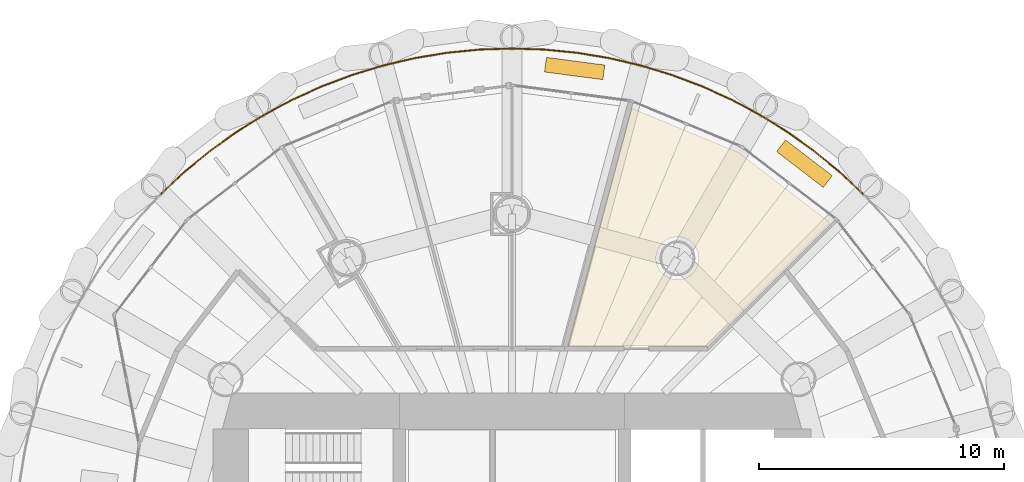
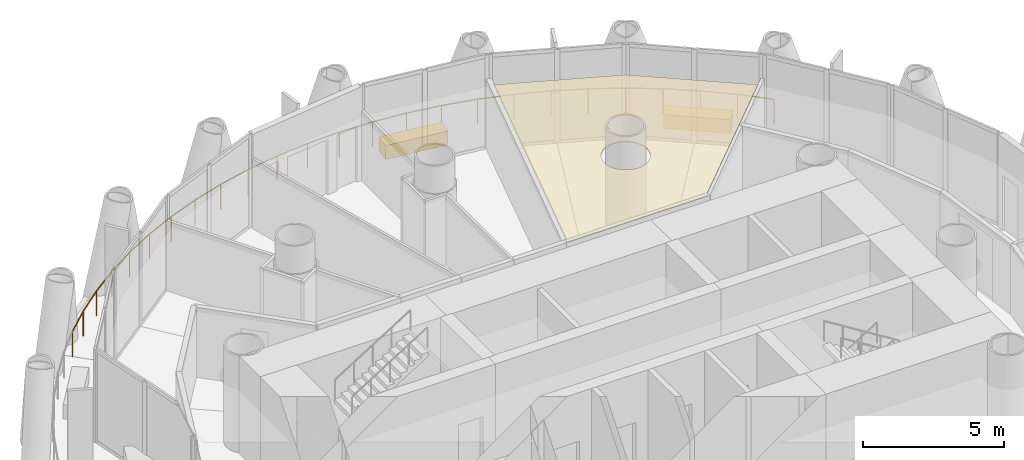
# One storey, part 15 of 15: 3 coverings, 1 railing.
"""IFC4 building model written with IfcOpenShell, lengths in metres."""

from ifc_helpers import new_model, si_unit, direction, frame, origin, origin_2d, place, context, subcontext, project, spatial, polyline, rectangle, circle, outline, extrude, material, layer, layer_set, type_object, element, save


model = new_model("IFC4")

# Units and contexts
model_context = context("Model", 3, precision=1e-05, world=origin(), true_north=direction((0.0, 1.0)))
body_context = subcontext(model_context, "Body", "Model", "MODEL_VIEW")
ifc_project = project(units=[si_unit("LENGTHUNIT", "METRE"), si_unit("AREAUNIT", "SQUARE_METRE"), si_unit("VOLUMEUNIT", "CUBIC_METRE"), si_unit("PLANEANGLEUNIT", "RADIAN"), si_unit("MASSUNIT", "GRAM", prefix="KILO")], contexts=[model_context])

# Site, building, storey
site_placement = place(None, origin())
site = spatial("IfcSite", under=ifc_project, at=site_placement, CompositionType="ELEMENT")
building_placement = place(site_placement, origin())
building = spatial("IfcBuilding", under=site, at=building_placement, Name="Qaws Media Tower", CompositionType="ELEMENT")
storey_placement = place(building_placement, frame((0.0, 0.0, 273.800048828125)))
storey = spatial("IfcBuildingStorey", under=building, at=storey_placement, Name="L63", CompositionType="ELEMENT", Elevation=273.800048828125)

# Covering
ifc_material_1 = material(Name="40 perforated acoustic panels with mineral wool backing, suspended", Category="mineral fibre")
ifc_layer_1 = layer(ifc_material_1, 0.0400390625)
ifc_layer_set_1 = layer_set([ifc_layer_1], Name="Acoustic panel ceiling 40")
covering_type_1 = type_object("IfcCoveringType", Name="Acoustic panel ceiling 40", PredefinedType="CEILING", material=ifc_layer_set_1)
covering_placement = place(storey_placement, frame((0.0, 0.0, 2.849853515625)))
element("IfcCovering", 1, at=covering_placement, inside=storey, type_object=covering_type_1, Name="CL3 ceiling L63-03 Board meeting room", PredefinedType="CEILING", context=body_context, shape_type="SweptSolid", body=[
    extrude(outline(polyline([(69.24267578125, 66.0087890625), (72.98095703125, 63.14013671875), (67.953369140625, 58.112548828125), (62.290283203125, 58.112548828125), (64.88916015625, 67.81201171875), (69.24267578125, 66.0087890625)]), holes=[polyline([(67.5546875, 61.35791015625), (67.59130859375, 61.4658203125), (67.613525390625, 61.57763671875), (67.62109375, 61.69140625), (67.613525390625, 61.804931640625), (67.59130859375, 61.916748046875), (67.5546875, 62.024658203125), (67.50439453125, 62.126708984375), (67.44091796875, 62.2216796875), (67.365966796875, 62.30712890625), (67.2802734375, 62.38232421875), (67.185546875, 62.44580078125), (67.083251953125, 62.49609375), (66.975341796875, 62.53271484375), (66.86376953125, 62.554931640625), (66.75, 62.562255859375), (66.63623046875, 62.554931640625), (66.524658203125, 62.53271484375), (66.416748046875, 62.49609375), (66.314453125, 62.44580078125), (66.2197265625, 62.38232421875), (66.134033203125, 62.30712890625), (66.05908203125, 62.2216796875), (65.99560546875, 62.126708984375), (65.9453125, 62.024658203125), (65.90869140625, 61.916748046875), (65.886474609375, 61.804931640625), (65.87890625, 61.69140625), (65.886474609375, 61.57763671875), (65.90869140625, 61.4658203125), (65.9453125, 61.35791015625), (65.99560546875, 61.255859375), (66.05908203125, 61.1611328125), (66.134033203125, 61.075439453125), (66.2197265625, 61.000244140625), (66.314453125, 60.93701171875), (66.416748046875, 60.88671875), (66.524658203125, 60.85009765625), (66.63623046875, 60.827880859375), (66.75, 60.8203125), (66.86376953125, 60.827880859375), (66.975341796875, 60.85009765625), (67.083251953125, 60.88671875), (67.185546875, 60.93701171875), (67.2802734375, 61.000244140625), (67.365966796875, 61.075439453125), (67.44091796875, 61.1611328125), (67.50439453125, 61.255859375), (67.5546875, 61.35791015625)])]), origin(), (0.0, 0.0, 1.0), 0.0400390625),
])

# Railing
ifc_material_2 = material(Name="Stainless steel and glass guard", Category="steel")
railing_type = type_object("IfcRailingType", Name="Balcony guard 1100", PredefinedType="GUARDRAIL", material=ifc_material_2)
railing_placement = place(storey_placement, frame((74.31884765625, 64.31884765625, 0.0)))
element("IfcRailing", 2, at=railing_placement, inside=storey, type_object=railing_type, Name="GR1 balcony guard L63-1", PredefinedType="GUARDRAIL", context=body_context, shape_type="SweptSolid", body=[
    extrude(circle(Radius=0.02392578125, at=origin_2d()), frame((0.0, 0.0, 1.076171875), z_axis=(-0.729761236548, 0.683702082512, 0.0), x_axis=(-0.683702082512, -0.729761236548, 0.0)), (0.0, 0.0, 1.0), 1.3251953125),
    extrude(circle(Radius=0.02392578125, at=origin_2d()), frame((-0.967041015625, 0.906005859375, 1.076171875), z_axis=(-0.773061787624, 0.634330728024, 0.0), x_axis=(-0.634330728024, -0.773061787624, 0.0)), (0.0, 0.0, 1.0), 1.3251953125),
    extrude(circle(Radius=0.02392578125, at=origin_2d()), frame((-1.991455078125, 1.74658203125, 1.076171875), z_axis=(-0.812898541399, 0.582405323972, 0.0), x_axis=(-0.582405323972, -0.812898541399, 0.0)), (0.0, 0.0, 1.0), 1.324951171875),
    extrude(circle(Radius=0.02392578125, at=origin_2d()), frame((-3.068603515625, 2.518310546875, 1.076171875), z_axis=(-0.849124544129, 0.52819268128, 0.0), x_axis=(-0.52819268128, -0.849124544129, 0.0)), (0.0, 0.0, 1.0), 1.3251953125),
    extrude(circle(Radius=0.02392578125, at=origin_2d()), frame((-4.19384765625, 3.21826171875, 1.076171875), z_axis=(-0.881975244429, 0.471295733288, 0.0), x_axis=(-0.471295733288, -0.881975244429, 0.0)), (0.0, 0.0, 1.0), 1.3251953125),
    extrude(circle(Radius=0.02392578125, at=origin_2d()), frame((-5.362548828125, 3.8427734375, 1.076171875), z_axis=(-0.910870560654, 0.412692163403, 0.0), x_axis=(-0.412692163403, -0.910870560654, 0.0)), (0.0, 0.0, 1.0), 1.3251953125),
    extrude(circle(Radius=0.02392578125, at=origin_2d()), frame((-6.569580078125, 4.3896484375, 1.076171875), z_axis=(-0.935904506269, 0.352253822045, 0.0), x_axis=(-0.352253822045, -0.935904506269, 0.0)), (0.0, 0.0, 1.0), 1.3251953125),
    extrude(circle(Radius=0.02392578125, at=origin_2d()), frame((-7.809814453125, 4.8564453125, 1.076171875), z_axis=(-0.956918975321, 0.290355083771, 0.0), x_axis=(-0.290355083771, -0.956918975321, 0.0)), (0.0, 0.0, 1.0), 1.3251953125),
    extrude(circle(Radius=0.02392578125, at=origin_2d()), frame((-9.077880859375, 5.2412109375, 1.076171875), z_axis=(-0.973888761804, 0.227025724606, 0.0), x_axis=(-0.227025724606, -0.973888761804, 0.0)), (0.0, 0.0, 1.0), 1.324951171875),
    extrude(circle(Radius=0.02392578125, at=origin_2d()), frame((-10.3681640625, 5.5419921875, 1.076171875), z_axis=(-0.986651596425, 0.162845409119, 0.0), x_axis=(-0.162845409119, -0.986651596425, 0.0)), (0.0, 0.0, 1.0), 1.3251953125),
    extrude(circle(Radius=0.02392578125, at=origin_2d()), frame((-11.67578125, 5.7578125, 1.076171875), z_axis=(-0.995183865151, 0.098025887106, 0.0), x_axis=(-0.098025887106, -0.995183865151, 0.0)), (0.0, 0.0, 1.0), 1.324951171875),
    extrude(circle(Radius=0.02392578125, at=origin_2d()), frame((-12.994384765625, 5.8876953125, 1.076171875), z_axis=(-0.999462151407, 0.032793412525, 0.0), x_axis=(-0.032793412525, -0.999462151407, 0.0)), (0.0, 0.0, 1.0), 1.3251953125),
    extrude(circle(Radius=0.02392578125, at=origin_2d()), frame((-14.31884765625, 5.93115234375, 1.076171875), z_axis=(-0.999462151407, -0.032793412525, 0.0), x_axis=(0.032793412525, -0.999462151407, 0.0)), (0.0, 0.0, 1.0), 1.3251953125),
    extrude(circle(Radius=0.02392578125, at=origin_2d()), frame((-15.643310546875, 5.8876953125, 1.076171875), z_axis=(-0.995183865151, -0.098025887106, 0.0), x_axis=(0.098025887106, -0.995183865151, 0.0)), (0.0, 0.0, 1.0), 1.324951171875),
    extrude(circle(Radius=0.02392578125, at=origin_2d()), frame((-16.9619140625, 5.7578125, 1.076171875), z_axis=(-0.986651596425, -0.162845409119, 0.0), x_axis=(0.162845409119, -0.986651596425, 0.0)), (0.0, 0.0, 1.0), 1.3251953125),
    extrude(circle(Radius=0.02392578125, at=origin_2d()), frame((-18.26953125, 5.5419921875, 1.076171875), z_axis=(-0.973888761804, -0.227025724606, 0.0), x_axis=(0.227025724606, -0.973888761804, 0.0)), (0.0, 0.0, 1.0), 1.324951171875),
    extrude(circle(Radius=0.02392578125, at=origin_2d()), frame((-19.559814453125, 5.2412109375, 1.076171875), z_axis=(-0.956918975321, -0.290355083771, 0.0), x_axis=(0.290355083771, -0.956918975321, 0.0)), (0.0, 0.0, 1.0), 1.3251953125),
    extrude(circle(Radius=0.02392578125, at=origin_2d()), frame((-20.827880859375, 4.8564453125, 1.076171875), z_axis=(-0.935904506269, -0.352253822045, 0.0), x_axis=(0.352253822045, -0.935904506269, 0.0)), (0.0, 0.0, 1.0), 1.3251953125),
    extrude(circle(Radius=0.02392578125, at=origin_2d()), frame((-22.068115234375, 4.3896484375, 1.076171875), z_axis=(-0.910870560654, -0.412692163403, 0.0), x_axis=(0.412692163403, -0.910870560654, 0.0)), (0.0, 0.0, 1.0), 1.3251953125),
    extrude(circle(Radius=0.02392578125, at=origin_2d()), frame((-23.275146484375, 3.8427734375, 1.076171875), z_axis=(-0.881975244429, -0.471295733288, 0.0), x_axis=(0.471295733288, -0.881975244429, 0.0)), (0.0, 0.0, 1.0), 1.3251953125),
    extrude(circle(Radius=0.02392578125, at=origin_2d()), frame((-24.44384765625, 3.21826171875, 1.076171875), z_axis=(-0.849124544129, -0.52819268128, 0.0), x_axis=(0.52819268128, -0.849124544129, 0.0)), (0.0, 0.0, 1.0), 1.3251953125),
    extrude(circle(Radius=0.02392578125, at=origin_2d()), frame((-25.569091796875, 2.518310546875, 1.076171875), z_axis=(-0.812898541399, -0.582405323972, 0.0), x_axis=(0.582405323972, -0.812898541399, 0.0)), (0.0, 0.0, 1.0), 1.324951171875),
    extrude(circle(Radius=0.02392578125, at=origin_2d()), frame((-26.646240234375, 1.74658203125, 1.076171875), z_axis=(-0.773061787624, -0.634330728024, 0.0), x_axis=(0.634330728024, -0.773061787624, 0.0)), (0.0, 0.0, 1.0), 1.3251953125),
    extrude(circle(Radius=0.02392578125, at=origin_2d()), frame((-27.670654296875, 0.906005859375, 1.076171875), z_axis=(-0.729761236548, -0.683702082512, 0.0), x_axis=(0.683702082512, -0.729761236548, 0.0)), (0.0, 0.0, 1.0), 1.3251953125),
    extrude(circle(Radius=0.02099609375, at=origin_2d()), origin(), (0.0, 0.0, 1.0), 1.052001953125),
    extrude(circle(Radius=0.02099609375, at=origin_2d()), frame((-0.967041015625, 0.906005859375, 0.0)), (0.0, 0.0, 1.0), 1.052001953125),
    extrude(circle(Radius=0.02099609375, at=origin_2d()), frame((-1.991455078125, 1.74658203125, 0.0)), (0.0, 0.0, 1.0), 1.052001953125),
    extrude(circle(Radius=0.02099609375, at=origin_2d()), frame((-3.068603515625, 2.518310546875, 0.0)), (0.0, 0.0, 1.0), 1.052001953125),
    extrude(circle(Radius=0.02099609375, at=origin_2d()), frame((-4.19384765625, 3.21826171875, 0.0)), (0.0, 0.0, 1.0), 1.052001953125),
    extrude(circle(Radius=0.02099609375, at=origin_2d()), frame((-5.362548828125, 3.8427734375, 0.0)), (0.0, 0.0, 1.0), 1.052001953125),
    extrude(circle(Radius=0.02099609375, at=origin_2d()), frame((-6.569580078125, 4.3896484375, 0.0)), (0.0, 0.0, 1.0), 1.052001953125),
    extrude(circle(Radius=0.02099609375, at=origin_2d()), frame((-7.809814453125, 4.8564453125, 0.0)), (0.0, 0.0, 1.0), 1.052001953125),
    extrude(circle(Radius=0.02099609375, at=origin_2d()), frame((-9.077880859375, 5.2412109375, 0.0)), (0.0, 0.0, 1.0), 1.052001953125),
    extrude(circle(Radius=0.02099609375, at=origin_2d()), frame((-10.3681640625, 5.5419921875, 0.0)), (0.0, 0.0, 1.0), 1.052001953125),
    extrude(circle(Radius=0.02099609375, at=origin_2d()), frame((-11.67578125, 5.7578125, 0.0)), (0.0, 0.0, 1.0), 1.052001953125),
    extrude(circle(Radius=0.02099609375, at=origin_2d()), frame((-12.994384765625, 5.8876953125, 0.0)), (0.0, 0.0, 1.0), 1.052001953125),
    extrude(circle(Radius=0.02099609375, at=origin_2d()), frame((-14.31884765625, 5.93115234375, 0.0)), (0.0, 0.0, 1.0), 1.052001953125),
    extrude(circle(Radius=0.02099609375, at=origin_2d()), frame((-15.643310546875, 5.8876953125, 0.0)), (0.0, 0.0, 1.0), 1.052001953125),
    extrude(circle(Radius=0.02099609375, at=origin_2d()), frame((-16.9619140625, 5.7578125, 0.0)), (0.0, 0.0, 1.0), 1.052001953125),
    extrude(circle(Radius=0.02099609375, at=origin_2d()), frame((-18.26953125, 5.5419921875, 0.0)), (0.0, 0.0, 1.0), 1.052001953125),
    extrude(circle(Radius=0.02099609375, at=origin_2d()), frame((-19.559814453125, 5.2412109375, 0.0)), (0.0, 0.0, 1.0), 1.052001953125),
    extrude(circle(Radius=0.02099609375, at=origin_2d()), frame((-20.827880859375, 4.8564453125, 0.0)), (0.0, 0.0, 1.0), 1.052001953125),
    extrude(circle(Radius=0.02099609375, at=origin_2d()), frame((-22.068115234375, 4.3896484375, 0.0)), (0.0, 0.0, 1.0), 1.052001953125),
    extrude(circle(Radius=0.02099609375, at=origin_2d()), frame((-23.275146484375, 3.8427734375, 0.0)), (0.0, 0.0, 1.0), 1.052001953125),
    extrude(circle(Radius=0.02099609375, at=origin_2d()), frame((-24.44384765625, 3.21826171875, 0.0)), (0.0, 0.0, 1.0), 1.052001953125),
    extrude(circle(Radius=0.02099609375, at=origin_2d()), frame((-25.569091796875, 2.518310546875, 0.0)), (0.0, 0.0, 1.0), 1.052001953125),
    extrude(circle(Radius=0.02099609375, at=origin_2d()), frame((-26.646240234375, 1.74658203125, 0.0)), (0.0, 0.0, 1.0), 1.052001953125),
    extrude(circle(Radius=0.02099609375, at=origin_2d()), frame((-27.670654296875, 0.906005859375, 0.0)), (0.0, 0.0, 1.0), 1.052001953125),
    extrude(circle(Radius=0.02099609375, at=origin_2d()), frame((-28.6376953125, 0.0, 0.0)), (0.0, 0.0, 1.0), 1.052001953125),
])

# Coverings
ifc_material_3 = material(Name="Precast concrete planter with trailing planting", Category="concrete")
ifc_layer_2 = layer(ifc_material_3, 0.60009765625)
ifc_layer_set_2 = layer_set([ifc_layer_2], Name="Planter 2400x600")
covering_type_2 = type_object("IfcCoveringType", Name="Planter 2400x600", PredefinedType="USERDEFINED", material=ifc_layer_set_2)
for number, where, z_axis, x_axis, name in (
    (3, (71.931640625, 65.5498046875, 0.0), (0.0, 0.0, 1.0), (-0.793353340291, 0.608761429009, 0.0), "PL1 balcony planter L63-02"),
    (4, (62.558349609375, 69.432373046875, 0.0), (0.0, 0.0, 1.0), (-0.991444861374, 0.13052619222, 0.0), "PL1 balcony planter L63-03"),
):
    element("IfcCovering", number, at=place(storey_placement, frame(where, z_axis=z_axis, x_axis=x_axis)), inside=storey, type_object=covering_type_2, Name=name, ObjectType="PLANTER", PredefinedType="USERDEFINED", context=body_context, shape_type="SweptSolid", body=[
        extrude(rectangle(XDim=2.39990234375, YDim=0.60009765625, at=origin_2d()), origin(), (0.0, 0.0, 1.0), 0.60009765625),
    ])

save(model, "model.ifc")
